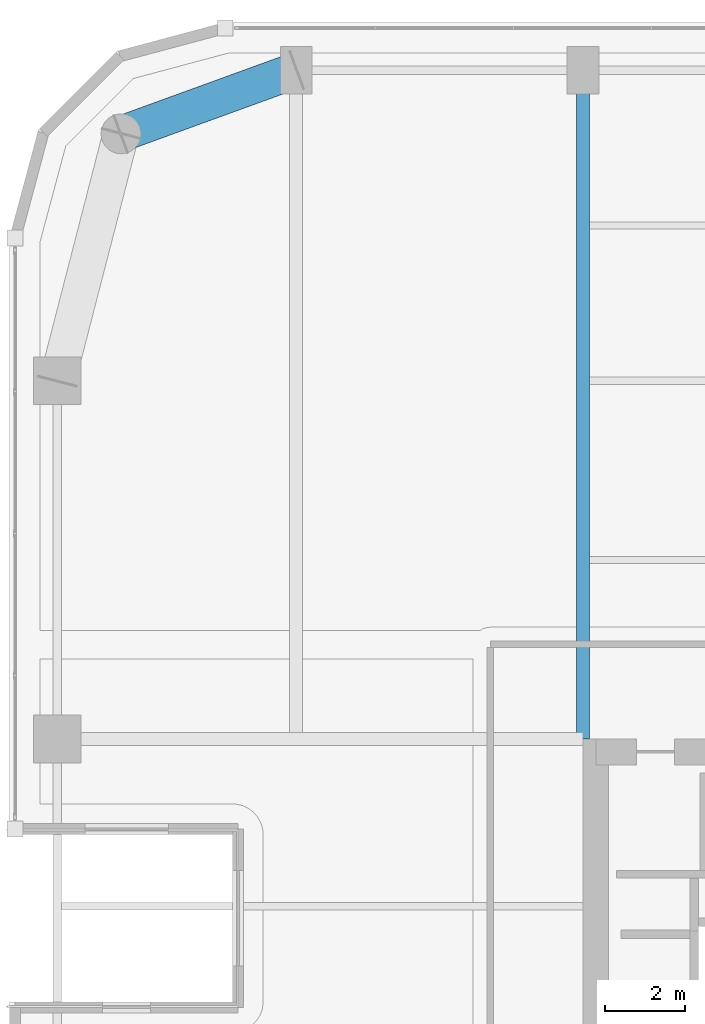
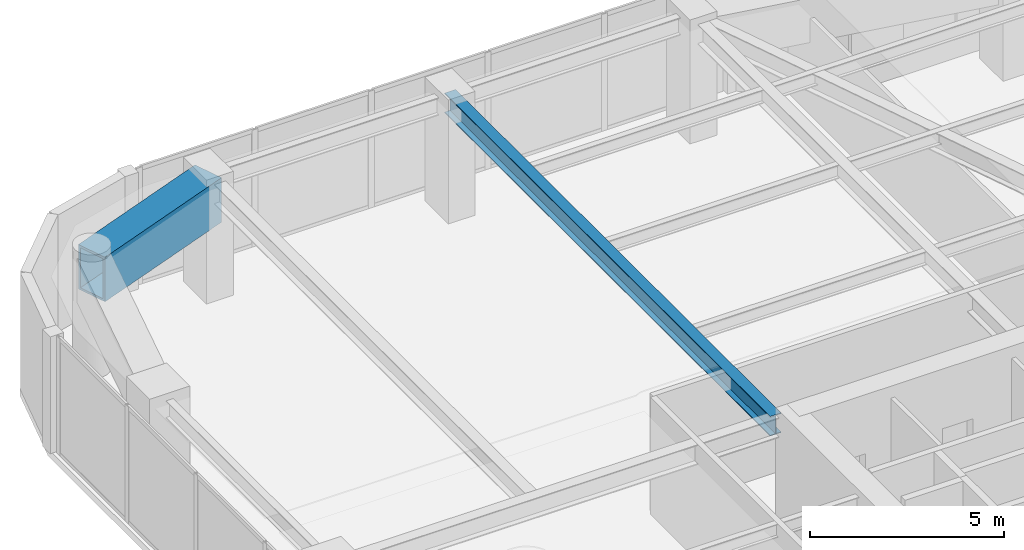
# One storey, part 12 of 26: 2 beams.
"""IFC4 building model written with IfcOpenShell, lengths in metres."""

from ifc_helpers import new_model, si_unit, direction, frame, origin, origin_2d, place, context, subcontext, project, spatial, hollow_rectangle, i_section, extrude, material, material_profile, profile_set, type_object, element, save


model = new_model("IFC4")

# Units and contexts
model_context = context("Model", 3, precision=1e-05, world=origin(), true_north=direction((0.0, 1.0)))
body_context = subcontext(model_context, "Body", "Model", "MODEL_VIEW")
ifc_project = project(units=[si_unit("LENGTHUNIT", "METRE"), si_unit("AREAUNIT", "SQUARE_METRE"), si_unit("VOLUMEUNIT", "CUBIC_METRE"), si_unit("PLANEANGLEUNIT", "RADIAN"), si_unit("MASSUNIT", "GRAM", prefix="KILO")], contexts=[model_context])

# Site, building, storey
site_placement = place(None, origin())
site = spatial("IfcSite", under=ifc_project, at=site_placement, CompositionType="ELEMENT")
building_placement = place(site_placement, origin())
building = spatial("IfcBuilding", under=site, at=building_placement, Name="Kiyonajd Concourse Tower", CompositionType="ELEMENT")
storey_placement = place(building_placement, frame((0.0, 0.0, 186.300048828125)))
storey = spatial("IfcBuildingStorey", under=building, at=storey_placement, Name="L47", CompositionType="ELEMENT", Elevation=186.300048828125)

# Beams
ifc_material_1 = material(Name="Steel ASTM A992 Grade 50", Category="steel")
ifc_material_profile_1 = material_profile(ifc_material_1, i_section(OverallWidth=0.326904296875, OverallDepth=0.6220703125, WebThickness=0.015380859375, FlangeThickness=0.0244140625, at=origin_2d()), Name="W610X195")
ifc_profile_set_1 = profile_set([ifc_material_profile_1], Name="Steel ASTM A992 Grade 50")
beam_type_1 = type_object("IfcBeamType", Name="BM-TWR-610A", PredefinedType="BEAM", material=ifc_profile_set_1)
beam_1_placement = place(storey_placement, frame((32.39990234375, 44.39990234375, 3.368896484375), z_axis=(0.0, 1.0, 0.0), x_axis=(-1.0, 0.0, 0.0)))
element("IfcBeam", 1, at=beam_1_placement, inside=storey, type_object=beam_type_1, Name="L47 North Lease Girder", PredefinedType="BEAM", context=body_context, shape_type="SweptSolid", body=[
    extrude(i_section(OverallWidth=0.326904296875, OverallDepth=0.6220703125, WebThickness=0.015380859375, FlangeThickness=0.0244140625, at=origin_2d()), origin(), (0.0, 0.0, 1.0), 16.800048828125),
])
ifc_material_2 = material(Name="Steel ASTM A572 Grade 50", Category="steel")
ifc_material_profile_2 = material_profile(ifc_material_2, hollow_rectangle(XDim=0.89990234375, YDim=1.39990234375, WallThickness=0.070068359375, at=origin_2d()), Name="BOX-1400x900x70")
ifc_profile_set_2 = profile_set([ifc_material_profile_2], Name="Steel ASTM A572 Grade 50")
beam_type_2 = type_object("IfcBeamType", Name="BM-XFER-1400", PredefinedType="BEAM", material=ifc_profile_set_2)
beam_2_placement = place(storey_placement, frame((25.199951171875, 61.199951171875, 2.97998046875), z_axis=(-0.939801036019, -0.341722127901, 0.0), x_axis=(0.341722127901, -0.939801036019, 0.0)))
element("IfcBeam", 2, at=beam_2_placement, inside=storey, type_object=beam_type_2, Name="L47 Perimeter Bundled Tube Spandrel", PredefinedType="BEAM", context=body_context, shape_type="SweptSolid", body=[
    extrude(hollow_rectangle(XDim=0.89990234375, YDim=1.39990234375, WallThickness=0.070068359375, at=origin_2d()), origin(), (0.0, 0.0, 1.0), 4.681640625),
])

save(model, "model.ifc")
